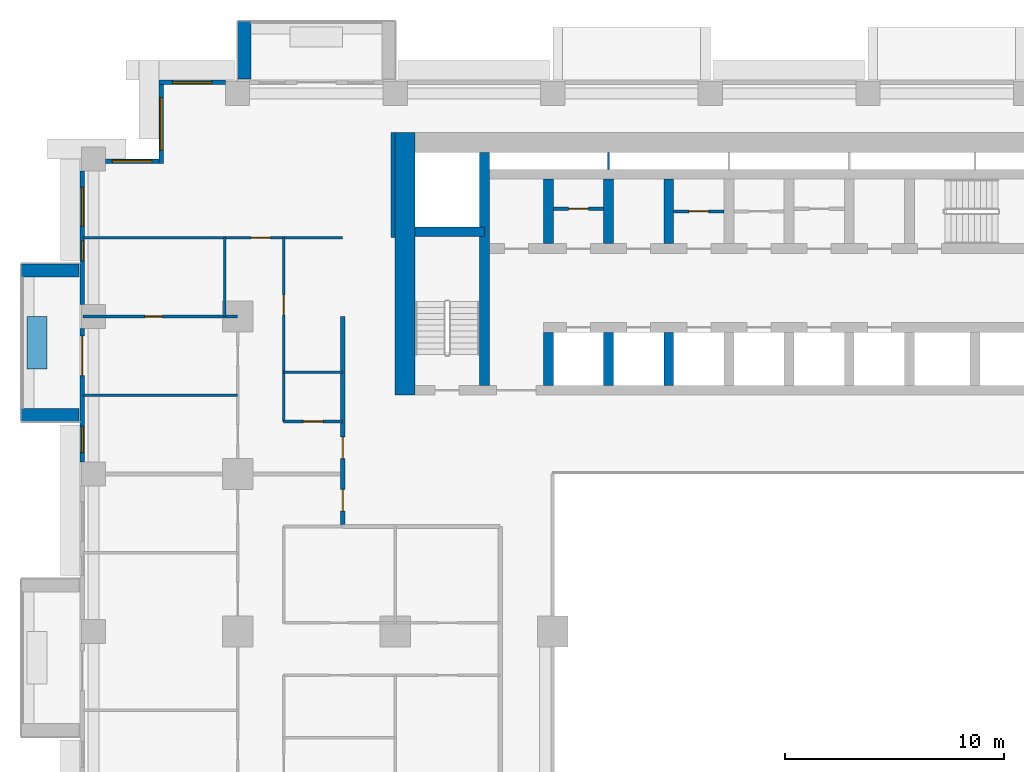
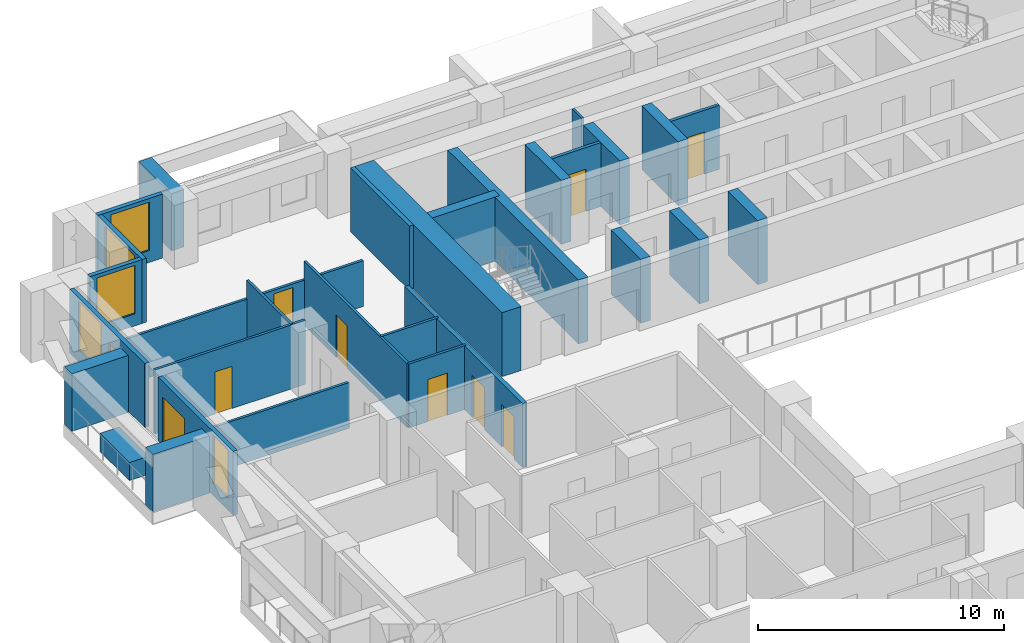
# One storey, part 9 of 17: 30 walls, 9 doors, 6 windows, 15 openings.
"""IFC4 building model written with IfcOpenShell, lengths in metres."""

import ifcopenshell
import ifcopenshell.guid

model = None  # the IFC model being written
_history = None  # IfcOwnerHistory: only IFC2X3 demands one
_inside = {}  # id of a spatial element -> (the spatial element, [elements in it])
_under = {}  # id of a project, library or spatial element -> (it, [spatial elements below it])
_declared = {}  # id of a project -> (the project, [libraries it declares])
_typed = {}  # id of a type object -> (the type object, [elements of that type])
_made_of = {}  # id of a material, layer set ... -> (it, [elements and type objects made of it])


def new_model(schema):
    """Start an empty IFC model of exactly this schema.

    Asked for "IFC4X3", IfcOpenShell would pick the latest addendum, in which some entities
    have other attributes; the version numbers below select the first issue.
    IFC2X3 requires an IfcOwnerHistory on every rooted entity: one is made here for all.
    """
    global model, _history
    if schema == "IFC4X3":
        model = ifcopenshell.file(schema_version=(4, 3, 0, 0))
    else:
        model = ifcopenshell.file(schema=schema)
    _inside.clear()
    _under.clear()
    _declared.clear()
    _typed.clear()
    _made_of.clear()
    _history = None
    if model.schema == "IFC2X3":
        org = make("IfcOrganization", Name="unknown")
        user = make(
            "IfcPersonAndOrganization",
            ThePerson=make("IfcPerson", FamilyName="unknown"),
            TheOrganization=org,
        )
        app = make(
            "IfcApplication",
            ApplicationDeveloper=org,
            Version="unknown",
            ApplicationFullName="unknown",
            ApplicationIdentifier="unknown",
        )
        _history = make(
            "IfcOwnerHistory",
            OwningUser=user,
            OwningApplication=app,
            ChangeAction="ADDED",
            CreationDate=0,
        )
    return model


def make(cls, **values):
    """One entity of the class cls with the attributes given. An attribute that is None is left unset."""
    return model.create_entity(
        cls, **{name: value for name, value in values.items() if value is not None}
    )


def rooted(cls, **values):
    """An entity with a GlobalId (a new one), such as an element, a storey or a relation."""
    return make(cls, GlobalId=ifcopenshell.guid.new(), OwnerHistory=_history, **values)


def si_unit(unit_type, name, prefix=None):
    """IfcSIUnit, for example si_unit("LENGTHUNIT", "METRE", prefix="MILLI")."""
    return make("IfcSIUnit", UnitType=unit_type, Prefix=prefix, Name=name)


def assignment(units):
    """IfcUnitAssignment: the units of a project."""
    return None if units is None else make("IfcUnitAssignment", Units=units)


def point(xyz):
    """IfcCartesianPoint."""
    return None if xyz is None else make("IfcCartesianPoint", Coordinates=xyz)


def direction(xyz):
    """IfcDirection."""
    return None if xyz is None else make("IfcDirection", DirectionRatios=xyz)


def frame(location, z_axis=None, x_axis=None):
    """IfcAxis2Placement3D, a coordinate frame: its origin and axes. An axis left out is left unset."""
    return make(
        "IfcAxis2Placement3D",
        Location=point(location),
        Axis=direction(z_axis),
        RefDirection=direction(x_axis),
    )


def frame_2d(location, x_axis=None):
    """IfcAxis2Placement2D, a coordinate frame in the plane: its origin and x axis."""
    return make(
        "IfcAxis2Placement2D", Location=point(location), RefDirection=direction(x_axis)
    )


def origin():
    """The frame at (0, 0, 0) with its axes left unset."""
    return frame((0.0, 0.0, 0.0))


def place(relative_to, where):
    """IfcLocalPlacement: puts the frame where relative to a parent placement (None: the world)."""
    return make(
        "IfcLocalPlacement", PlacementRelTo=relative_to, RelativePlacement=where
    )


def context(
    kind, dimensions, precision=None, world=None, true_north=None, identifier=None
):
    """IfcGeometricRepresentationContext, for example the 3D "Model" context."""
    return make(
        "IfcGeometricRepresentationContext",
        ContextIdentifier=identifier,
        ContextType=kind,
        CoordinateSpaceDimension=dimensions,
        Precision=precision,
        WorldCoordinateSystem=world,
        TrueNorth=true_north,
    )


def subcontext(parent, identifier, kind, view, scale=None):
    """IfcGeometricRepresentationSubContext, for example "Body" below "Model"."""
    return make(
        "IfcGeometricRepresentationSubContext",
        ContextIdentifier=identifier,
        ContextType=kind,
        ParentContext=parent,
        TargetScale=scale,
        TargetView=view,
    )


def project(units=None, contexts=None):
    """IfcProject with its units and contexts."""
    return rooted(
        "IfcProject",
        Name="project",
        RepresentationContexts=contexts,
        UnitsInContext=assignment(units),
    )


def spatial(cls, under=None, at=None, **own):
    """A site, building, storey or space (cls), placed at a placement, below another one or the project."""
    s = rooted(cls, ObjectPlacement=at, **own)
    if under is not None:
        _under.setdefault(under.id(), (under, []))[1].append(s)
    return s


def profile(cls, at=None, kind="AREA", **sizes):
    """A parametric profile (cls). Its sizes go by their IFC names, for example OverallWidth=200.0."""
    return make(cls, ProfileType=kind, Position=at, **sizes)


def rectangle(**sizes):
    """IfcRectangleProfileDef."""
    return profile("IfcRectangleProfileDef", **sizes)


def extrude(swept, where, along, depth):
    """IfcExtrudedAreaSolid: the profile swept, set in the frame where, extruded along a direction by depth."""
    return make(
        "IfcExtrudedAreaSolid",
        SweptArea=swept,
        Position=where,
        ExtrudedDirection=direction(along),
        Depth=depth,
    )


def shape(context_of_items, identifier, shape_type, items):
    """IfcShapeRepresentation: the items that make up one representation, for example the "Body"."""
    return make(
        "IfcShapeRepresentation",
        ContextOfItems=context_of_items,
        RepresentationIdentifier=identifier,
        RepresentationType=shape_type,
        Items=items,
    )


def material(Name=None, Category=None):
    """IfcMaterial."""
    return make("IfcMaterial", Name=Name, Category=Category)


def layer(
    of_material, thickness, ventilated=None, Name=None, Category=None, Priority=None
):
    """IfcMaterialLayer: one layer of a wall or slab, of a material (None: an air gap)."""
    return make(
        "IfcMaterialLayer",
        Material=of_material,
        LayerThickness=thickness,
        IsVentilated=ventilated,
        Name=Name,
        Category=Category,
        Priority=Priority,
    )


def layer_set(layers, Name=None):
    """IfcMaterialLayerSet."""
    return make("IfcMaterialLayerSet", MaterialLayers=layers, LayerSetName=Name)


def made_of(thing, what):
    """Note that an element or type object is made of a material, layer set ...; save() writes the relation."""
    if what is not None:
        _made_of.setdefault(what.id(), (what, []))[1].append(thing)
    return thing


def type_object(cls, material=None, **own):
    """A type object (cls), such as IfcWallType, which elements share."""
    return made_of(rooted(cls, **own), material)


def element(
    cls,
    number,
    at=None,
    inside=None,
    cuts=None,
    type_object=None,
    material=None,
    context=None,
    identifier="Body",
    shape_type=None,
    held_by="IfcProductDefinitionShape",
    body=None,
    shapes=None,
    **own,
):
    """One element of the class cls, such as IfcWall. Its Tag is "e" and its number.

    at: its placement. inside: the storey or other place that contains it. cuts: it is an
    opening in that element (IfcRelVoidsElement). A single representation is given by context,
    identifier, shape_type and body (its items); several are given by shapes. held_by: the class
    of the entity that holds the representations. save() writes the other relations.
    """
    e = rooted(cls, Tag="e%d" % number, ObjectPlacement=at, **own)
    if body is not None:
        shapes = [shape(context, identifier, shape_type, body)]
    if shapes is not None:
        e.Representation = make(held_by, Representations=shapes)
    if inside is not None:
        _inside.setdefault(inside.id(), (inside, []))[1].append(e)
    if cuts is not None:
        rooted(
            "IfcRelVoidsElement", RelatingBuildingElement=cuts, RelatedOpeningElement=e
        )
    if type_object is not None:
        _typed.setdefault(type_object.id(), (type_object, []))[1].append(e)
    return made_of(e, material)


def fill(opening, filler):
    """IfcRelFillsElement: the door or window that sits in an opening."""
    return rooted(
        "IfcRelFillsElement",
        RelatingOpeningElement=opening,
        RelatedBuildingElement=filler,
    )


def aggregate(whole, parts):
    """IfcRelAggregates: a whole, such as a stair, and the parts it consists of."""
    return rooted("IfcRelAggregates", RelatingObject=whole, RelatedObjects=parts)


def save(model, path):
    """Write the relations noted so far, then the file.

    IfcRelAggregates (storeys below a building ...), IfcRelContainedInSpatialStructure (elements
    in a storey), IfcRelDefinesByType, IfcRelAssociatesMaterial and IfcRelDeclares: one each for
    every whole, place, type object, material and project.
    """
    for whole, parts in _under.values():
        aggregate(whole, parts)
    for where, things in _inside.values():
        rooted(
            "IfcRelContainedInSpatialStructure",
            RelatedElements=things,
            RelatingStructure=where,
        )
    for kind, things in _typed.values():
        rooted("IfcRelDefinesByType", RelatedObjects=things, RelatingType=kind)
    for what, things in _made_of.values():
        rooted("IfcRelAssociatesMaterial", RelatedObjects=things, RelatingMaterial=what)
    for by, libraries in _declared.values():
        rooted("IfcRelDeclares", RelatingContext=by, RelatedDefinitions=libraries)
    model.write(path)


model = new_model("IFC4")

# Units and contexts
model_context = context("Model", 3, precision=1e-05, world=origin(), true_north=direction((0.0, 1.0)))
body_context = subcontext(model_context, "Body", "Model", "MODEL_VIEW")
ifc_project = project(units=[si_unit("LENGTHUNIT", "METRE"), si_unit("AREAUNIT", "SQUARE_METRE"), si_unit("VOLUMEUNIT", "CUBIC_METRE"), si_unit("PLANEANGLEUNIT", "RADIAN"), si_unit("MASSUNIT", "GRAM", prefix="KILO")], contexts=[model_context])

# Site, building, storey
site_placement = place(None, origin())
site = spatial("IfcSite", under=ifc_project, at=site_placement, CompositionType="ELEMENT")
building_placement = place(site_placement, origin())
building = spatial("IfcBuilding", under=site, at=building_placement, Name="Saffron Iwan Residences", CompositionType="ELEMENT")
storey_placement = place(building_placement, frame((0.0, 0.0, 34.0)))
storey = spatial("IfcBuildingStorey", under=building, at=storey_placement, Name="L07", CompositionType="ELEMENT", Elevation=34.0)

# Walls
ifc_material_1 = material(Name="Concrete C50/60 white painted", Category="concrete")
ifc_layer_1 = layer(ifc_material_1, 0.60009765625)
ifc_layer_set_1 = layer_set([ifc_layer_1], Name="Concrete C50/60 white painted")
wall_type_1 = type_object("IfcWallType", Name="BALCONY FIN 600", PredefinedType="SOLIDWALL", material=ifc_layer_set_1)
for number, where, z_axis, x_axis, name in (
    (1, (21.89990234375, 80.449951171875, 0.0), (0.0, 0.0, 1.0), (0.0, 1.0, 0.0), "Balcony fin L07 F5-3b"),
    (2, (14.35009765625, 71.699951171875, 0.0), (0.0, 0.0, 1.0), (-1.0, 0.0, 0.0), "Balcony fin L07 F8-0a"),
    (3, (14.35009765625, 65.10009765625, 0.0), (0.0, 0.0, 1.0), (-1.0, 0.0, 0.0), "Balcony fin L07 F8-0b"),
):
    element("IfcWall", number, at=place(storey_placement, frame(where, z_axis=z_axis, x_axis=x_axis)), inside=storey, type_object=wall_type_1, Name=name, PredefinedType="SOLIDWALL", context=body_context, shape_type="SweptSolid", body=[
        extrude(rectangle(XDim=2.650146484375, YDim=0.60009765625, at=frame_2d((1.3251953125, 0.0))), origin(), (0.0, 0.0, 1.0), 2.85009765625),
    ])
ifc_material_2 = material(Name="Concrete C35/45 white painted", Category="concrete")
ifc_layer_2 = layer(ifc_material_2, 0.14990234375)
ifc_layer_set_2 = layer_set([ifc_layer_2], Name="Concrete C35/45 white painted")
wall_type_2 = type_object("IfcWallType", Name="BALCONY PLANTER", PredefinedType="SOLIDWALL", material=ifc_layer_set_2)
wall_1_placement = place(storey_placement, frame((12.425048828125, 69.60009765625, 0.0), z_axis=(0.0, 0.0, 1.0), x_axis=(0.0, -1.0, 0.0)))
element("IfcWall", 4, at=wall_1_placement, inside=storey, type_object=wall_type_2, Name="PLANTER L07 F8-0", PredefinedType="SOLIDWALL", context=body_context, shape_type="SweptSolid", body=[
    extrude(rectangle(XDim=2.400146484375, YDim=0.89990234375, at=frame_2d((1.2001953125, 0.0))), origin(), (0.0, 0.0, 1.0), 0.89990234375),
])

# Wall, opening, door
ifc_material_3 = material(Name="Fire-rated plasterboard partition")
ifc_layer_3 = layer(ifc_material_3, 0.14990234375)
ifc_layer_set_3 = layer_set([ifc_layer_3], Name="Fire-rated plasterboard partition")
wall_type_3 = type_object("IfcWallType", Name="Core partition 150", PredefinedType="PARTITIONING", material=ifc_layer_set_3)
wall_2_placement = place(storey_placement, frame((36.02490234375, 74.51806640625, 0.0), z_axis=(0.0, 0.0, 1.0), x_axis=(1.0, 0.0, 0.0)))
wall_2 = element("IfcWall", 5, at=wall_2_placement, inside=storey, type_object=wall_type_3, Name="Core partition P01", PredefinedType="PARTITIONING", context=body_context, shape_type="SweptSolid", body=[
    extrude(rectangle(XDim=2.300048828125, YDim=0.14990234375, at=frame_2d((1.14990234375, 0.0))), origin(), (0.0, 0.0, 1.0), 3.179931640625),
])
opening_1_placement = place(wall_2_placement, frame((0.699951171875, 0.0, 0.0)))
opening_1 = element("IfcOpeningElement", 6, at=opening_1_placement, cuts=wall_2, Name="Opening SB", PredefinedType="OPENING", context=body_context, shape_type="SweptSolid", body=[
    extrude(rectangle(XDim=0.89990234375, YDim=2.10009765625, at=frame_2d((0.449951171875, 1.050048828125))), frame((0.0, 0.0849609375, 0.0), z_axis=(0.0, -1.0, 0.0), x_axis=(1.0, 0.0, 0.0)), (0.0, 0.0, 1.0), 0.169921875),
])
ifc_material_4 = material(Name="Steel fire door", Category="steel")
door_type_1 = type_object("IfcDoorType", Name="Store door 900", OperationType="NOTDEFINED", PredefinedType="DOOR", material=ifc_material_4)
door_1_placement = place(opening_1_placement, origin())
door_1 = element("IfcDoor", 7, at=door_1_placement, inside=storey, type_object=door_type_1, Name="Door Records store", OperationType="SINGLE_SWING_RIGHT", OverallHeight=2.10009765625, OverallWidth=0.89990234375, PredefinedType="DOOR", context=body_context, shape_type="SweptSolid", body=[
    extrude(rectangle(XDim=0.89990234375, YDim=2.10009765625, at=frame_2d((0.449951171875, 1.050048828125))), frame((0.0, 0.02490234375, 0.0), z_axis=(0.0, -1.0, 0.0), x_axis=(1.0, 0.0, 0.0)), (0.0, 0.0, 1.0), 0.050048828125),
])
fill(opening_1, door_1)

wall_3_placement = place(storey_placement, frame((41.52490234375, 74.39990234375, 0.0), z_axis=(0.0, 0.0, 1.0), x_axis=(1.0, 0.0, 0.0)))
wall_3 = element("IfcWall", 8, at=wall_3_placement, inside=storey, type_object=wall_type_3, Name="Core partition P02", PredefinedType="PARTITIONING", context=body_context, shape_type="SweptSolid", body=[
    extrude(rectangle(XDim=2.300048828125, YDim=0.14990234375, at=frame_2d((1.14990234375, 0.0))), origin(), (0.0, 0.0, 1.0), 3.179931640625),
])
opening_2_placement = place(wall_3_placement, frame((0.699951171875, 0.0, 0.0)))
opening_2 = element("IfcOpeningElement", 9, at=opening_2_placement, cuts=wall_3, Name="Opening SB", PredefinedType="OPENING", context=body_context, shape_type="SweptSolid", body=[
    extrude(rectangle(XDim=0.89990234375, YDim=2.10009765625, at=frame_2d((0.449951171875, 1.050048828125))), frame((0.0, 0.0849609375, 0.0), z_axis=(0.0, -1.0, 0.0), x_axis=(1.0, 0.0, 0.0)), (0.0, 0.0, 1.0), 0.169921875),
])
door_2_placement = place(opening_2_placement, origin())
door_2 = element("IfcDoor", 10, at=door_2_placement, inside=storey, type_object=door_type_1, Name="Door Tool store", OperationType="SINGLE_SWING_LEFT", OverallHeight=2.10009765625, OverallWidth=0.89990234375, PredefinedType="DOOR", context=body_context, shape_type="SweptSolid", body=[
    extrude(rectangle(XDim=0.89990234375, YDim=2.10009765625, at=frame_2d((0.449951171875, 1.050048828125))), frame((0.0, 0.02490234375, 0.0), z_axis=(0.0, -1.0, 0.0), x_axis=(1.0, 0.0, 0.0)), (0.0, 0.0, 1.0), 0.050048828125),
])
fill(opening_2, door_2)

# Wall, opening, window
ifc_material_5 = material(Name="Concrete C40/50", Category="concrete")
ifc_layer_4 = layer(ifc_material_5, 0.199951171875)
ifc_layer_set_4 = layer_set([ifc_layer_4], Name="Concrete C40/50")
wall_type_4 = type_object("IfcWallType", Name="EXTERNAL WALL 200", PredefinedType="SOLIDWALL", material=ifc_layer_set_4)
wall_4_placement = place(storey_placement, frame((21.050048828125, 80.300048828125, 0.0), z_axis=(0.0, 0.0, 1.0), x_axis=(-1.0, 0.0, 0.0)))
wall_4 = element("IfcWall", 11, at=wall_4_placement, inside=storey, type_object=wall_type_4, Name="External wall L07 F5.9", PredefinedType="SOLIDWALL", context=body_context, shape_type="SweptSolid", body=[
    extrude(rectangle(XDim=3.050048828125, YDim=0.199951171875, at=frame_2d((1.52490234375, 0.0))), origin(), (0.0, 0.0, 1.0), 3.179931640625),
])
opening_3_placement = place(wall_4_placement, frame((0.625, 0.0, 0.60009765625)))
opening_3 = element("IfcOpeningElement", 12, at=opening_3_placement, cuts=wall_4, Name="Opening W8", PredefinedType="OPENING", context=body_context, shape_type="SweptSolid", body=[
    extrude(rectangle(XDim=1.800048828125, YDim=2.39990234375, at=frame_2d((0.89990234375, 1.199951171875))), frame((0.0, 0.10986328125, 0.0), z_axis=(0.0, -1.0, 0.0), x_axis=(1.0, 0.0, 0.0)), (0.0, 0.0, 1.0), 0.219970703125),
])
ifc_material_6 = material(Name="Clear glass, laminated double glazed", Category="glass")
window_type_1 = type_object("IfcWindowType", Name="WINDOW 1800 x 2400", PartitioningType="DOUBLE_PANEL_VERTICAL", PredefinedType="WINDOW", material=ifc_material_6)
window_1_placement = place(opening_3_placement, origin())
window_1 = element("IfcWindow", 13, at=window_1_placement, inside=storey, type_object=window_type_1, Name="Window L07 F5.0", OverallHeight=2.39990234375, OverallWidth=1.800048828125, PartitioningType="DOUBLE_PANEL_VERTICAL", PredefinedType="WINDOW", context=body_context, shape_type="SweptSolid", body=[
    extrude(rectangle(XDim=1.800048828125, YDim=2.39990234375, at=frame_2d((0.89990234375, 1.199951171875))), frame((0.0, 0.030029296875, 0.0), z_axis=(0.0, -1.0, 0.0), x_axis=(1.0, 0.0, 0.0)), (0.0, 0.0, 1.0), 0.06005859375),
])
fill(opening_3, window_1)

wall_5_placement = place(storey_placement, frame((18.10009765625, 80.199951171875, 0.0), z_axis=(0.0, 0.0, 1.0), x_axis=(0.0, -1.0, 0.0)))
wall_5 = element("IfcWall", 14, at=wall_5_placement, inside=storey, type_object=wall_type_4, Name="External wall L07 F6.0", PredefinedType="SOLIDWALL", context=body_context, shape_type="SweptSolid", body=[
    extrude(rectangle(XDim=3.599853515625, YDim=0.199951171875, at=frame_2d((1.7998046875, 0.0))), origin(), (0.0, 0.0, 1.0), 3.179931640625),
])
opening_4_placement = place(wall_5_placement, frame((0.60009765625, 0.0, 0.60009765625)))
opening_4 = element("IfcOpeningElement", 15, at=opening_4_placement, cuts=wall_5, Name="Opening W1", PredefinedType="OPENING", context=body_context, shape_type="SweptSolid", body=[
    extrude(rectangle(XDim=2.39990234375, YDim=2.39990234375, at=frame_2d((1.199951171875, 1.199951171875))), frame((0.0, 0.10986328125, 0.0), z_axis=(0.0, -1.0, 0.0), x_axis=(1.0, 0.0, 0.0)), (0.0, 0.0, 1.0), 0.219970703125),
])
window_type_2 = type_object("IfcWindowType", Name="WINDOW 2400 x 2400", PartitioningType="DOUBLE_PANEL_VERTICAL", PredefinedType="WINDOW", material=ifc_material_6)
window_2_placement = place(opening_4_placement, origin())
window_2 = element("IfcWindow", 16, at=window_2_placement, inside=storey, type_object=window_type_2, Name="Window L07 F6.0", OverallHeight=2.39990234375, OverallWidth=2.39990234375, PartitioningType="DOUBLE_PANEL_VERTICAL", PredefinedType="WINDOW", context=body_context, shape_type="SweptSolid", body=[
    extrude(rectangle(XDim=2.39990234375, YDim=2.39990234375, at=frame_2d((1.199951171875, 1.199951171875))), frame((0.0, 0.030029296875, 0.0), z_axis=(0.0, -1.0, 0.0), x_axis=(1.0, 0.0, 0.0)), (0.0, 0.0, 1.0), 0.06005859375),
])
fill(opening_4, window_2)

wall_6_placement = place(storey_placement, frame((18.0, 76.699951171875, 0.0), z_axis=(0.0, 0.0, 1.0), x_axis=(-1.0, 0.0, 0.0)))
wall_6 = element("IfcWall", 17, at=wall_6_placement, inside=storey, type_object=wall_type_4, Name="External wall L07 F7.0", PredefinedType="SOLIDWALL", context=body_context, shape_type="SweptSolid", body=[
    extrude(rectangle(XDim=2.449951171875, YDim=0.199951171875, at=frame_2d((1.22509765625, 0.0))), origin(), (0.0, 0.0, 1.0), 3.179931640625),
])
opening_5_placement = place(wall_6_placement, frame((0.324951171875, 0.0, 0.60009765625)))
opening_5 = element("IfcOpeningElement", 18, at=opening_5_placement, cuts=wall_6, Name="Opening W8", PredefinedType="OPENING", context=body_context, shape_type="SweptSolid", body=[
    extrude(rectangle(XDim=1.800048828125, YDim=2.39990234375, at=frame_2d((0.89990234375, 1.199951171875))), frame((0.0, 0.10986328125, 0.0), z_axis=(0.0, -1.0, 0.0), x_axis=(1.0, 0.0, 0.0)), (0.0, 0.0, 1.0), 0.219970703125),
])
window_3_placement = place(opening_5_placement, origin())
window_3 = element("IfcWindow", 19, at=window_3_placement, inside=storey, type_object=window_type_1, Name="Window L07 F7.0", OverallHeight=2.39990234375, OverallWidth=1.800048828125, PartitioningType="DOUBLE_PANEL_VERTICAL", PredefinedType="WINDOW", context=body_context, shape_type="SweptSolid", body=[
    extrude(rectangle(XDim=1.800048828125, YDim=2.39990234375, at=frame_2d((0.89990234375, 1.199951171875))), frame((0.0, 0.030029296875, 0.0), z_axis=(0.0, -1.0, 0.0), x_axis=(1.0, 0.0, 0.0)), (0.0, 0.0, 1.0), 0.06005859375),
])
fill(opening_5, window_3)

# Wall, openings, windows
wall_7_placement = place(storey_placement, frame((14.5, 76.25, 0.0), z_axis=(0.0, 0.0, 1.0), x_axis=(0.0, -1.0, 0.0)))
wall_7 = element("IfcWall", 20, at=wall_7_placement, inside=storey, type_object=wall_type_4, Name="External wall L07 F8.0", PredefinedType="SOLIDWALL", context=body_context, shape_type="SweptSolid", body=[
    extrude(rectangle(XDim=6.10009765625, YDim=0.199951171875, at=frame_2d((3.050048828125, 0.0))), origin(), (0.0, 0.0, 1.0), 3.179931640625),
])
opening_6_placement = place(wall_7_placement, frame((3.199951171875, 0.0, 1.5)))
opening_6 = element("IfcOpeningElement", 21, at=opening_6_placement, cuts=wall_7, Name="Opening W6", PredefinedType="OPENING", context=body_context, shape_type="SweptSolid", body=[
    extrude(rectangle(XDim=0.89990234375, YDim=0.89990234375, at=frame_2d((0.449951171875, 0.449951171875))), frame((0.0, 0.10986328125, 0.0), z_axis=(0.0, -1.0, 0.0), x_axis=(1.0, 0.0, 0.0)), (0.0, 0.0, 1.0), 0.219970703125),
])
opening_7_placement = place(wall_7_placement, frame((0.72509765625, 0.0, 0.60009765625)))
opening_7 = element("IfcOpeningElement", 22, at=opening_7_placement, cuts=wall_7, Name="Opening W8", PredefinedType="OPENING", context=body_context, shape_type="SweptSolid", body=[
    extrude(rectangle(XDim=1.800048828125, YDim=2.39990234375, at=frame_2d((0.89990234375, 1.199951171875))), frame((0.0, 0.10986328125, 0.0), z_axis=(0.0, -1.0, 0.0), x_axis=(1.0, 0.0, 0.0)), (0.0, 0.0, 1.0), 0.219970703125),
])
window_4_placement = place(opening_7_placement, origin())
window_4 = element("IfcWindow", 23, at=window_4_placement, inside=storey, type_object=window_type_1, Name="Window L07 F8.1", OverallHeight=2.39990234375, OverallWidth=1.800048828125, PartitioningType="DOUBLE_PANEL_VERTICAL", PredefinedType="WINDOW", context=body_context, shape_type="SweptSolid", body=[
    extrude(rectangle(XDim=1.800048828125, YDim=2.39990234375, at=frame_2d((0.89990234375, 1.199951171875))), frame((0.0, 0.030029296875, 0.0), z_axis=(0.0, -1.0, 0.0), x_axis=(1.0, 0.0, 0.0)), (0.0, 0.0, 1.0), 0.06005859375),
])
fill(opening_7, window_4)
window_type_3 = type_object("IfcWindowType", Name="WINDOW 900 x 900 BATH", PartitioningType="SINGLE_PANEL", PredefinedType="WINDOW", material=ifc_material_6)
window_5_placement = place(opening_6_placement, origin())
window_5 = element("IfcWindow", 24, at=window_5_placement, inside=storey, type_object=window_type_3, Name="Window L07 F8.0", OverallHeight=0.89990234375, OverallWidth=0.89990234375, PartitioningType="SINGLE_PANEL", PredefinedType="WINDOW", context=body_context, shape_type="SweptSolid", body=[
    extrude(rectangle(XDim=0.89990234375, YDim=0.89990234375, at=frame_2d((0.449951171875, 0.449951171875))), frame((0.0, 0.030029296875, 0.0), z_axis=(0.0, -1.0, 0.0), x_axis=(1.0, 0.0, 0.0)), (0.0, 0.0, 1.0), 0.06005859375),
])
fill(opening_6, window_5)

# Wall, openings, door, window
wall_8_placement = place(storey_placement, frame((14.5, 69.050048828125, 0.0), z_axis=(0.0, 0.0, 1.0), x_axis=(0.0, -1.0, 0.0)))
wall_8 = element("IfcWall", 25, at=wall_8_placement, inside=storey, type_object=wall_type_4, Name="External wall L07 F8.1", PredefinedType="SOLIDWALL", context=body_context, shape_type="SweptSolid", body=[
    extrude(rectangle(XDim=6.10009765625, YDim=0.199951171875, at=frame_2d((3.050048828125, 0.0))), origin(), (0.0, 0.0, 1.0), 3.179931640625),
])
opening_8_placement = place(wall_8_placement, frame((0.35009765625, 0.0, 0.0)))
opening_8 = element("IfcOpeningElement", 26, at=opening_8_placement, cuts=wall_8, Name="Opening BD1", PredefinedType="OPENING", context=body_context, shape_type="SweptSolid", body=[
    extrude(rectangle(XDim=1.800048828125, YDim=2.39990234375, at=frame_2d((0.89990234375, 1.199951171875))), frame((0.0, 0.10986328125, 0.0), z_axis=(0.0, -1.0, 0.0), x_axis=(1.0, 0.0, 0.0)), (0.0, 0.0, 1.0), 0.219970703125),
])
opening_9_placement = place(wall_8_placement, frame((4.47509765625, 0.0, 0.60009765625)))
opening_9 = element("IfcOpeningElement", 27, at=opening_9_placement, cuts=wall_8, Name="Opening W3", PredefinedType="OPENING", context=body_context, shape_type="SweptSolid", body=[
    extrude(rectangle(XDim=1.199951171875, YDim=2.39990234375, at=frame_2d((0.60009765625, 1.199951171875))), frame((0.0, 0.10986328125, 0.0), z_axis=(0.0, -1.0, 0.0), x_axis=(1.0, 0.0, 0.0)), (0.0, 0.0, 1.0), 0.219970703125),
])
door_type_2 = type_object("IfcDoorType", Name="BALCONY DOOR 1800 x 2400", OperationType="DOUBLE_DOOR_SLIDING", PredefinedType="DOOR", material=ifc_material_6)
door_3_placement = place(opening_8_placement, origin())
door_3 = element("IfcDoor", 28, at=door_3_placement, inside=storey, type_object=door_type_2, Name="Balcony door L07 F8.0", OperationType="DOUBLE_DOOR_SLIDING", OverallHeight=2.39990234375, OverallWidth=1.800048828125, PredefinedType="DOOR", context=body_context, shape_type="SweptSolid", body=[
    extrude(rectangle(XDim=1.800048828125, YDim=2.39990234375, at=frame_2d((0.89990234375, 1.199951171875))), frame((0.0, 0.02490234375, 0.0), z_axis=(0.0, -1.0, 0.0), x_axis=(1.0, 0.0, 0.0)), (0.0, 0.0, 1.0), 0.050048828125),
])
fill(opening_8, door_3)
window_type_4 = type_object("IfcWindowType", Name="WINDOW 1200 x 2400", PartitioningType="SINGLE_PANEL", PredefinedType="WINDOW", material=ifc_material_6)
window_6_placement = place(opening_9_placement, origin())
window_6 = element("IfcWindow", 29, at=window_6_placement, inside=storey, type_object=window_type_4, Name="Window L07 F8.1", OverallHeight=2.39990234375, OverallWidth=1.199951171875, PartitioningType="SINGLE_PANEL", PredefinedType="WINDOW", context=body_context, shape_type="SweptSolid", body=[
    extrude(rectangle(XDim=1.199951171875, YDim=2.39990234375, at=frame_2d((0.60009765625, 1.199951171875))), frame((0.0, 0.030029296875, 0.0), z_axis=(0.0, -1.0, 0.0), x_axis=(1.0, 0.0, 0.0)), (0.0, 0.0, 1.0), 0.06005859375),
])
fill(opening_9, window_6)

# Wall, opening, door
ifc_material_7 = material(Name="Gypsum board partition")
ifc_layer_5 = layer(ifc_material_7, 0.1201171875)
ifc_layer_set_5 = layer_set([ifc_layer_5], Name="Gypsum board partition")
wall_type_5 = type_object("IfcWallType", Name="Flat partition 120", PredefinedType="PARTITIONING", material=ifc_layer_set_5)
wall_9_placement = place(storey_placement, frame((23.699951171875, 64.800048828125, 0.0), z_axis=(0.0, 0.0, 1.0), x_axis=(1.0, 0.0, 0.0)))
wall_9 = element("IfcWall", 30, at=wall_9_placement, inside=storey, type_object=wall_type_5, Name="W-L07-PART-h64.8-23.7", PredefinedType="PARTITIONING", context=body_context, shape_type="SweptSolid", body=[
    extrude(rectangle(XDim=2.699951171875, YDim=0.1201171875, at=frame_2d((1.35009765625, 0.0))), origin(), (0.0, 0.0, 1.0), 3.179931640625),
])
opening_10_placement = place(wall_9_placement, frame((0.89990234375, 0.0, 0.0)))
opening_10 = element("IfcOpeningElement", 31, at=opening_10_placement, cuts=wall_9, Name="Opening FD2", PredefinedType="OPENING", context=body_context, shape_type="SweptSolid", body=[
    extrude(rectangle(XDim=0.89990234375, YDim=2.10009765625, at=frame_2d((0.449951171875, 1.050048828125))), frame((0.0, 0.070068359375, 0.0), z_axis=(0.0, -1.0, 0.0), x_axis=(1.0, 0.0, 0.0)), (0.0, 0.0, 1.0), 0.14013671875),
])
ifc_material_8 = material(Name="Timber door", Category="wood")
door_type_3 = type_object("IfcDoorType", Name="Flat door 900", OperationType="NOTDEFINED", PredefinedType="DOOR", material=ifc_material_8)
door_4_placement = place(opening_10_placement, origin())
door_4 = element("IfcDoor", 32, at=door_4_placement, inside=storey, type_object=door_type_3, Name="Door L07-033", OperationType="SINGLE_SWING_RIGHT", OverallHeight=2.10009765625, OverallWidth=0.89990234375, PredefinedType="DOOR", context=body_context, shape_type="SweptSolid", body=[
    extrude(rectangle(XDim=0.89990234375, YDim=2.10009765625, at=frame_2d((0.449951171875, 1.050048828125))), frame((0.0, 0.02490234375, 0.0), z_axis=(0.0, -1.0, 0.0), x_axis=(1.0, 0.0, 0.0)), (0.0, 0.0, 1.0), 0.050048828125),
])
fill(opening_10, door_4)

# Walls
wall_10_placement = place(storey_placement, frame((14.52490234375, 66.0, 0.0), z_axis=(0.0, 0.0, 1.0), x_axis=(1.0, 0.0, 0.0)))
element("IfcWall", 33, at=wall_10_placement, inside=storey, type_object=wall_type_5, Name="W-L07-PART-h66-14.525", PredefinedType="PARTITIONING", context=body_context, shape_type="SweptSolid", body=[
    extrude(rectangle(XDim=7.0751953125, YDim=0.1201171875, at=frame_2d((3.53759765625, 0.0))), origin(), (0.0, 0.0, 1.0), 2.280029296875),
])
wall_11_placement = place(storey_placement, frame((23.699951171875, 67.050048828125, 0.0), z_axis=(0.0, 0.0, 1.0), x_axis=(1.0, 0.0, 0.0)))
element("IfcWall", 34, at=wall_11_placement, inside=storey, type_object=wall_type_5, Name="W-L07-PART-h67.05-23.7", PredefinedType="PARTITIONING", context=body_context, shape_type="SweptSolid", body=[
    extrude(rectangle(XDim=2.699951171875, YDim=0.1201171875, at=frame_2d((1.35009765625, 0.0))), origin(), (0.0, 0.0, 1.0), 3.179931640625),
])

# Wall, opening, door
wall_12_placement = place(storey_placement, frame((14.52490234375, 69.60009765625, 0.0), z_axis=(0.0, 0.0, 1.0), x_axis=(1.0, 0.0, 0.0)))
wall_12 = element("IfcWall", 35, at=wall_12_placement, inside=storey, type_object=wall_type_5, Name="W-L07-PART-h69.6-14.525", PredefinedType="PARTITIONING", context=body_context, shape_type="SweptSolid", body=[
    extrude(rectangle(XDim=7.0751953125, YDim=0.1201171875, at=frame_2d((3.53759765625, 0.0))), origin(), (0.0, 0.0, 1.0), 3.179931640625),
])
opening_11_placement = place(wall_12_placement, frame((2.83740234375, 0.0, 0.0)))
opening_11 = element("IfcOpeningElement", 36, at=opening_11_placement, cuts=wall_12, Name="Opening FD3", PredefinedType="OPENING", context=body_context, shape_type="SweptSolid", body=[
    extrude(rectangle(XDim=0.800048828125, YDim=2.10009765625, at=frame_2d((0.39990234375, 1.050048828125))), frame((0.0, 0.070068359375, 0.0), z_axis=(0.0, -1.0, 0.0), x_axis=(1.0, 0.0, 0.0)), (0.0, 0.0, 1.0), 0.14013671875),
])
door_type_4 = type_object("IfcDoorType", Name="Bathroom door 800", OperationType="NOTDEFINED", PredefinedType="DOOR", material=ifc_material_8)
door_5_placement = place(opening_11_placement, origin())
door_5 = element("IfcDoor", 37, at=door_5_placement, inside=storey, type_object=door_type_4, Name="Door L07-031", OperationType="SINGLE_SWING_LEFT", OverallHeight=2.10009765625, OverallWidth=0.800048828125, PredefinedType="DOOR", context=body_context, shape_type="SweptSolid", body=[
    extrude(rectangle(XDim=0.800048828125, YDim=2.10009765625, at=frame_2d((0.39990234375, 1.050048828125))), frame((0.0, 0.02490234375, 0.0), z_axis=(0.0, -1.0, 0.0), x_axis=(1.0, 0.0, 0.0)), (0.0, 0.0, 1.0), 0.050048828125),
])
fill(opening_11, door_5)

wall_13_placement = place(storey_placement, frame((14.52490234375, 73.199951171875, 0.0), z_axis=(0.0, 0.0, 1.0), x_axis=(1.0, 0.0, 0.0)))
wall_13 = element("IfcWall", 38, at=wall_13_placement, inside=storey, type_object=wall_type_5, Name="W-L07-PART-h73.2-14.525", PredefinedType="PARTITIONING", context=body_context, shape_type="SweptSolid", body=[
    extrude(rectangle(XDim=11.875, YDim=0.1201171875, at=frame_2d((5.9375, 0.0))), origin(), (0.0, 0.0, 1.0), 2.280029296875),
])
opening_12_placement = place(wall_13_placement, frame((7.675048828125, 0.0, 0.0)))
opening_12 = element("IfcOpeningElement", 39, at=opening_12_placement, cuts=wall_13, Name="Opening FD2", PredefinedType="OPENING", context=body_context, shape_type="SweptSolid", body=[
    extrude(rectangle(XDim=0.89990234375, YDim=2.10009765625, at=frame_2d((0.449951171875, 1.050048828125))), frame((0.0, 0.070068359375, 0.0), z_axis=(0.0, -1.0, 0.0), x_axis=(1.0, 0.0, 0.0)), (0.0, 0.0, 1.0), 0.14013671875),
])
door_6_placement = place(opening_12_placement, origin())
door_6 = element("IfcDoor", 40, at=door_6_placement, inside=storey, type_object=door_type_3, Name="Door L07-032", OperationType="SINGLE_SWING_LEFT", OverallHeight=2.10009765625, OverallWidth=0.89990234375, PredefinedType="DOOR", context=body_context, shape_type="SweptSolid", body=[
    extrude(rectangle(XDim=0.89990234375, YDim=2.10009765625, at=frame_2d((0.449951171875, 1.050048828125))), frame((0.0, 0.02490234375, 0.0), z_axis=(0.0, -1.0, 0.0), x_axis=(1.0, 0.0, 0.0)), (0.0, 0.0, 1.0), 0.050048828125),
])
fill(opening_12, door_6)

# Wall
wall_14_placement = place(storey_placement, frame((21.0, 69.60009765625, 0.0), z_axis=(0.0, 0.0, 1.0), x_axis=(0.0, 1.0, 0.0)))
element("IfcWall", 41, at=wall_14_placement, inside=storey, type_object=wall_type_5, Name="W-L07-PART-v21-69.6", PredefinedType="PARTITIONING", context=body_context, shape_type="SweptSolid", body=[
    extrude(rectangle(XDim=3.599853515625, YDim=0.1201171875, at=frame_2d((1.7998046875, 0.0))), origin(), (0.0, 0.0, 1.0), 3.179931640625),
])

# Wall, opening, door
wall_15_placement = place(storey_placement, frame((23.699951171875, 64.800048828125, 0.0), z_axis=(0.0, 0.0, 1.0), x_axis=(0.0, 1.0, 0.0)))
wall_15 = element("IfcWall", 42, at=wall_15_placement, inside=storey, type_object=wall_type_5, Name="W-L07-PART-v23.7-64.8", PredefinedType="PARTITIONING", context=body_context, shape_type="SweptSolid", body=[
    extrude(rectangle(XDim=8.39990234375, YDim=0.1201171875, at=frame_2d((4.199951171875, 0.0))), origin(), (0.0, 0.0, 1.0), 3.179931640625),
])
opening_13_placement = place(wall_15_placement, frame((4.875, 0.0, 0.0)))
opening_13 = element("IfcOpeningElement", 43, at=opening_13_placement, cuts=wall_15, Name="Opening FD2", PredefinedType="OPENING", context=body_context, shape_type="SweptSolid", body=[
    extrude(rectangle(XDim=0.89990234375, YDim=2.10009765625, at=frame_2d((0.449951171875, 1.050048828125))), frame((0.0, 0.070068359375, 0.0), z_axis=(0.0, -1.0, 0.0), x_axis=(1.0, 0.0, 0.0)), (0.0, 0.0, 1.0), 0.14013671875),
])
door_7_placement = place(opening_13_placement, origin())
door_7 = element("IfcDoor", 44, at=door_7_placement, inside=storey, type_object=door_type_3, Name="Door L07-034", OperationType="SINGLE_SWING_LEFT", OverallHeight=2.10009765625, OverallWidth=0.89990234375, PredefinedType="DOOR", context=body_context, shape_type="SweptSolid", body=[
    extrude(rectangle(XDim=0.89990234375, YDim=2.10009765625, at=frame_2d((0.449951171875, 1.050048828125))), frame((0.0, 0.02490234375, 0.0), z_axis=(0.0, -1.0, 0.0), x_axis=(1.0, 0.0, 0.0)), (0.0, 0.0, 1.0), 0.050048828125),
])
fill(opening_13, door_7)

# Wall, openings, doors
ifc_material_9 = material(Name="Fire-rated gypsum board wall")
ifc_layer_6 = layer(ifc_material_9, 0.199951171875)
ifc_layer_set_6 = layer_set([ifc_layer_6], Name="Fire-rated gypsum board wall")
wall_type_6 = type_object("IfcWallType", Name="Gallery wall 200", PredefinedType="SOLIDWALL", material=ifc_layer_set_6)
wall_16_placement = place(storey_placement, frame((26.39990234375, 60.0, 0.0), z_axis=(0.0, 0.0, 1.0), x_axis=(0.0, 1.0, 0.0)))
wall_16 = element("IfcWall", 45, at=wall_16_placement, inside=storey, type_object=wall_type_6, Name="W-L07-CORR-v26.4-60", PredefinedType="SOLIDWALL", context=body_context, shape_type="SweptSolid", body=[
    extrude(rectangle(XDim=9.60009765625, YDim=0.199951171875, at=frame_2d((4.800048828125, 0.0))), origin(), (0.0, 0.0, 1.0), 3.179931640625),
])
opening_14_placement = place(wall_16_placement, frame((0.699951171875, 0.0, 0.0)))
opening_14 = element("IfcOpeningElement", 46, at=opening_14_placement, cuts=wall_16, Name="Opening FD1", PredefinedType="OPENING", context=body_context, shape_type="SweptSolid", body=[
    extrude(rectangle(XDim=1.0, YDim=2.10009765625, at=frame_2d((0.5, 1.050048828125))), frame((0.0, 0.10986328125, 0.0), z_axis=(0.0, -1.0, 0.0), x_axis=(1.0, 0.0, 0.0)), (0.0, 0.0, 1.0), 0.219970703125),
])
opening_15_placement = place(wall_16_placement, frame((3.10009765625, 0.0, 0.0)))
opening_15 = element("IfcOpeningElement", 47, at=opening_15_placement, cuts=wall_16, Name="Opening FD1", PredefinedType="OPENING", context=body_context, shape_type="SweptSolid", body=[
    extrude(rectangle(XDim=1.0, YDim=2.10009765625, at=frame_2d((0.5, 1.050048828125))), frame((0.0, 0.10986328125, 0.0), z_axis=(0.0, -1.0, 0.0), x_axis=(1.0, 0.0, 0.0)), (0.0, 0.0, 1.0), 0.219970703125),
])
ifc_material_10 = material(Name="Fire-rated timber door", Category="wood")
door_type_5 = type_object("IfcDoorType", Name="FD30S flat entrance door 1000", OperationType="NOTDEFINED", PredefinedType="DOOR", material=ifc_material_10)
door_8_placement = place(opening_14_placement, origin())
door_8 = element("IfcDoor", 48, at=door_8_placement, inside=storey, type_object=door_type_5, Name="Door L07-012", OperationType="SINGLE_SWING_RIGHT", OverallHeight=2.10009765625, OverallWidth=1.0, PredefinedType="DOOR", context=body_context, shape_type="SweptSolid", body=[
    extrude(rectangle(XDim=1.0, YDim=2.10009765625, at=frame_2d((0.5, 1.050048828125))), frame((0.0, 0.02490234375, 0.0), z_axis=(0.0, -1.0, 0.0), x_axis=(1.0, 0.0, 0.0)), (0.0, 0.0, 1.0), 0.050048828125),
])
fill(opening_14, door_8)
door_9_placement = place(opening_15_placement, origin())
door_9 = element("IfcDoor", 49, at=door_9_placement, inside=storey, type_object=door_type_5, Name="Door L07-028", OperationType="SINGLE_SWING_LEFT", OverallHeight=2.10009765625, OverallWidth=1.0, PredefinedType="DOOR", context=body_context, shape_type="SweptSolid", body=[
    extrude(rectangle(XDim=1.0, YDim=2.10009765625, at=frame_2d((0.5, 1.050048828125))), frame((0.0, 0.02490234375, 0.0), z_axis=(0.0, -1.0, 0.0), x_axis=(1.0, 0.0, 0.0)), (0.0, 0.0, 1.0), 0.050048828125),
])
fill(opening_15, door_9)

# Walls
wall_17_placement = place(storey_placement, frame((28.699951171875, 73.199951171875, 0.0), z_axis=(0.0, 0.0, 1.0), x_axis=(0.0, 1.0, 0.0)))
element("IfcWall", 50, at=wall_17_placement, inside=storey, type_object=wall_type_6, Name="W-L07-CORR-v28.8-73.2", PredefinedType="SOLIDWALL", context=body_context, shape_type="SweptSolid", body=[
    extrude(rectangle(XDim=4.800048828125, YDim=0.199951171875, at=frame_2d((2.39990234375, 0.0))), origin(), (0.0, 0.0, 1.0), 3.179931640625),
])
ifc_layer_7 = layer(ifc_material_3, 0.10009765625)
ifc_layer_set_7 = layer_set([ifc_layer_7], Name="Fire-rated plasterboard partition")
wall_type_7 = type_object("IfcWallType", Name="Riser partition 100", PredefinedType="PARTITIONING", material=ifc_layer_set_7)
wall_18_placement = place(storey_placement, frame((38.550048828125, 76.324951171875, 0.0), z_axis=(0.0, 0.0, 1.0), x_axis=(0.0, 1.0, 0.0)))
element("IfcWall", 51, at=wall_18_placement, inside=storey, type_object=wall_type_7, Name="Core partition P05", PredefinedType="PARTITIONING", context=body_context, shape_type="SweptSolid", body=[
    extrude(rectangle(XDim=0.775146484375, YDim=0.10009765625, at=frame_2d((0.3876953125, 0.0))), origin(), (0.0, 0.0, 1.0), 3.179931640625),
])
ifc_material_11 = material(Name="Concrete C60/75", Category="concrete")
ifc_layer_8 = layer(ifc_material_11, 0.449951171875)
ifc_layer_set_8 = layer_set([ifc_layer_8], Name="Concrete C60/75")
wall_type_8 = type_object("IfcWallType", Name="WALL CORE 450 C60/75 3180 HIGH", PredefinedType="SHEAR", material=ifc_layer_set_8)
wall_19_placement = place(storey_placement, frame((29.699951171875, 73.47509765625, 0.0), z_axis=(0.0, 0.0, 1.0), x_axis=(1.0, 0.0, 0.0)))
element("IfcWall", 52, at=wall_19_placement, inside=storey, type_object=wall_type_8, Name="Core wall", PredefinedType="SHEAR", context=body_context, shape_type="SweptSolid", body=[
    extrude(rectangle(XDim=3.175048828125, YDim=0.449951171875, at=frame_2d((1.58740234375, 0.0))), origin(), (0.0, 0.0, 1.0), 3.179931640625),
])
wall_20_placement = place(storey_placement, frame((32.875, 66.449951171875, 0.0), z_axis=(0.0, 0.0, 1.0), x_axis=(0.0, 1.0, 0.0)))
element("IfcWall", 53, at=wall_20_placement, inside=storey, type_object=wall_type_8, Name="Core wall", PredefinedType="SHEAR", context=body_context, shape_type="SweptSolid", body=[
    extrude(rectangle(XDim=10.650146484375, YDim=0.449951171875, at=frame_2d((5.3251953125, 0.0))), origin(), (0.0, 0.0, 1.0), 3.179931640625),
])
for number, where, z_axis, x_axis, name in (
    (54, (35.800048828125, 66.449951171875, 0.0), (0.0, 0.0, 1.0), (0.0, 1.0, 0.0), "Core wall"),
    (55, (38.550048828125, 66.449951171875, 0.0), (0.0, 0.0, 1.0), (0.0, 1.0, 0.0), "Core wall"),
    (56, (41.300048828125, 66.449951171875, 0.0), (0.0, 0.0, 1.0), (0.0, 1.0, 0.0), "Core wall"),
):
    element("IfcWall", number, at=place(storey_placement, frame(where, z_axis=z_axis, x_axis=x_axis)), inside=storey, type_object=wall_type_8, Name=name, PredefinedType="SHEAR", context=body_context, shape_type="SweptSolid", body=[
        extrude(rectangle(XDim=2.425048828125, YDim=0.449951171875, at=frame_2d((1.21240234375, 0.0))), origin(), (0.0, 0.0, 1.0), 3.179931640625),
    ])
for number, where, z_axis, x_axis, name in (
    (57, (35.800048828125, 72.925048828125, 0.0), (0.0, 0.0, 1.0), (0.0, 1.0, 0.0), "Core wall"),
    (58, (38.550048828125, 72.925048828125, 0.0), (0.0, 0.0, 1.0), (0.0, 1.0, 0.0), "Core wall"),
    (59, (41.300048828125, 72.925048828125, 0.0), (0.0, 0.0, 1.0), (0.0, 1.0, 0.0), "Core wall"),
):
    element("IfcWall", number, at=place(storey_placement, frame(where, z_axis=z_axis, x_axis=x_axis)), inside=storey, type_object=wall_type_8, Name=name, PredefinedType="SHEAR", context=body_context, shape_type="SweptSolid", body=[
        extrude(rectangle(XDim=2.949951171875, YDim=0.449951171875, at=frame_2d((1.47509765625, 0.0))), origin(), (0.0, 0.0, 1.0), 3.179931640625),
    ])
ifc_layer_9 = layer(ifc_material_11, 0.89990234375)
ifc_layer_set_9 = layer_set([ifc_layer_9], Name="Concrete C60/75")
wall_type_9 = type_object("IfcWallType", Name="WALL CORE 900 C60/75 3180 HIGH", PredefinedType="SHEAR", material=ifc_layer_set_9)
wall_21_placement = place(storey_placement, frame((29.25, 66.0, 0.0), z_axis=(0.0, 0.0, 1.0), x_axis=(0.0, 1.0, 0.0)))
element("IfcWall", 60, at=wall_21_placement, inside=storey, type_object=wall_type_9, Name="Core wall", PredefinedType="SHEAR", context=body_context, shape_type="SweptSolid", body=[
    extrude(rectangle(XDim=12.0, YDim=0.89990234375, at=frame_2d((6.0, 0.0))), origin(), (0.0, 0.0, 1.0), 3.179931640625),
])

save(model, "model.ifc")
